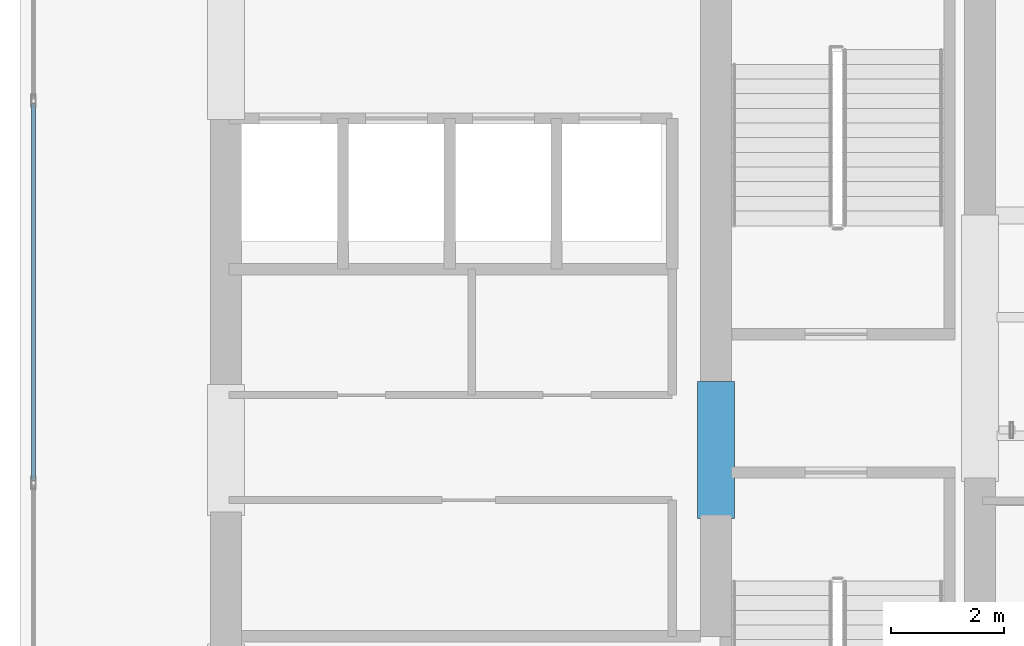
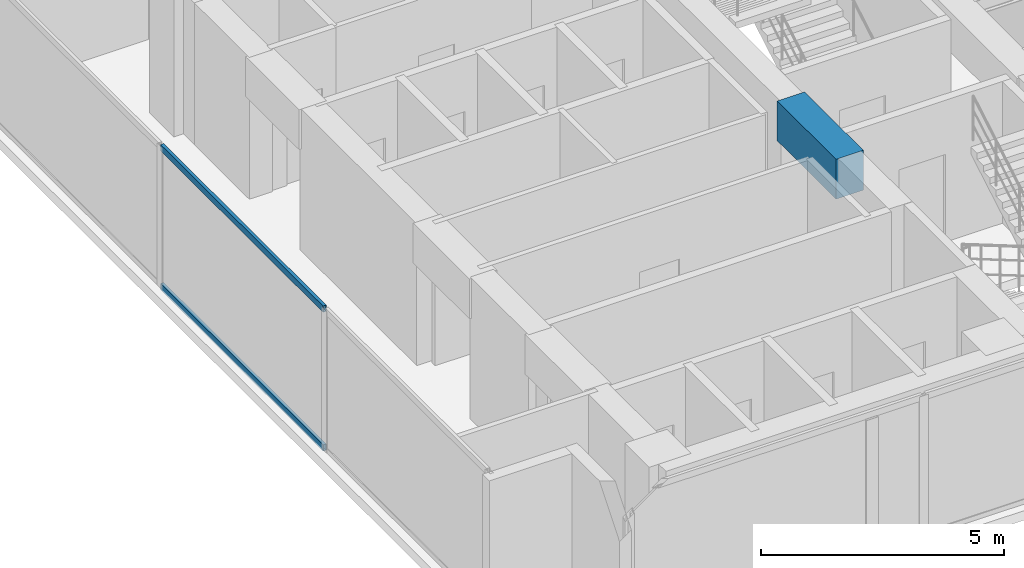
# One storey, part 3 of 23: 2 members, 1 beam, 1 element without a shape of its own.
"""IFC4 building model written with IfcOpenShell, lengths in metres."""

from ifc_helpers import new_model, si_unit, direction, frame, origin, origin_with_axes, origin_2d, place, context, subcontext, project, spatial, rectangle, hollow_rectangle, extrude, source, transform, mapped, material, layer, layer_set, material_profile, profile_set, type_object, element, aggregate, save


model = new_model("IFC4")

# Units and contexts
model_context = context("Model", 3, precision=1e-05, world=origin(), true_north=direction((0.0, 1.0)))
body_context = subcontext(model_context, "Body", "Model", "MODEL_VIEW")
ifc_project = project(units=[si_unit("LENGTHUNIT", "METRE"), si_unit("AREAUNIT", "SQUARE_METRE"), si_unit("VOLUMEUNIT", "CUBIC_METRE"), si_unit("PLANEANGLEUNIT", "RADIAN"), si_unit("MASSUNIT", "GRAM", prefix="KILO")], contexts=[model_context])

# Site, building, storey
site_placement = place(None, origin())
site = spatial("IfcSite", under=ifc_project, at=site_placement, CompositionType="ELEMENT")
building_placement = place(site_placement, origin())
building = spatial("IfcBuilding", under=site, at=building_placement, Name="Kolvaren Waterfront Exchange", CompositionType="ELEMENT")
storey_placement = place(building_placement, frame((0.0, 0.0, 234.89990234375)))
storey = spatial("IfcBuildingStorey", under=building, at=storey_placement, Name="L60", CompositionType="ELEMENT", Elevation=234.89990234375)

# Beam
ifc_material_1 = material(Name="Concrete C60/75", Category="concrete")
ifc_material_profile_1 = material_profile(ifc_material_1, rectangle(XDim=0.64990234375, YDim=1.0, at=origin_2d()), Name="RC-CB-1000x650")
ifc_profile_set_1 = profile_set([ifc_material_profile_1], Name="Concrete C60/75")
beam_type = type_object("IfcBeamType", Name="STR-CB-1000", PredefinedType="SPANDREL", material=ifc_profile_set_1)
beam_placement = place(storey_placement, frame((16.125, 12.0400390625, 3.06005859375), z_axis=(0.0, 1.0, 0.0), x_axis=(-1.0, 0.0, 0.0)))
element("IfcBeam", 1, at=beam_placement, inside=storey, type_object=beam_type, Name="L60 core coupling beam 6", PredefinedType="SPANDREL", context=body_context, shape_type="SweptSolid", body=[
    extrude(rectangle(XDim=0.64990234375, YDim=1.0, at=origin_2d()), origin(), (0.0, 0.0, 1.0), 2.419921875),
])

# Curtain wall, members
ifc_material_2 = material(Name="Anodised aluminium 6063-T6", Category="aluminium")
ifc_layer = layer(ifc_material_2, 0.219970703125, Name="Anodised aluminium 6063-T6")
ifc_layer_set = layer_set([ifc_layer], Name="Anodised aluminium 6063-T6")
curtain_wall_type = type_object("IfcCurtainWallType", Name="ARC-CW-SYS2", PredefinedType="USERDEFINED", material=ifc_layer_set)
curtain_wall_placement = place(storey_placement, origin())
curtain_wall = element("IfcCurtainWall", 2, at=curtain_wall_placement, inside=storey, type_object=curtain_wall_type, Name="L60 stick curtain wall CW2 (CW-L60-W)", ObjectType="STICK CURTAIN WALL", PredefinedType="USERDEFINED")
ifc_material_profile_2 = material_profile(ifc_material_2, hollow_rectangle(XDim=0.074951171875, YDim=0.159912109375, WallThickness=0.00439453125, at=origin_2d()), Name="ALU-TRN-160x75x4.5")
ifc_profile_set_2 = profile_set([ifc_material_profile_2], Name="Anodised aluminium 6063-T6")
member_type = type_object("IfcMemberType", Name="ARC-CWT-160", PredefinedType="USERDEFINED", material=ifc_profile_set_2)
shared_shape = source(origin_with_axes(), body_context, "Body", "SweptSolid", [
    extrude(hollow_rectangle(XDim=0.074951171875, YDim=0.159912109375, WallThickness=0.00439453125, at=origin_2d()), origin(), (0.0, 0.0, 1.0), 6.6865234375),
])
member_1_placement = place(storey_placement, frame((4.0400390625, 12.706787109375, 0.03759765625), z_axis=(0.0, 1.0, 0.0), x_axis=(-1.0, 0.0, 0.0)))
member_1 = element("IfcMember", 3, at=member_1_placement, type_object=member_type, Name="CW2 transom 2.1", ObjectType="TRANSOM", PredefinedType="USERDEFINED", context=body_context, shape_type="MappedRepresentation", body=[
    mapped(shared_shape, transform((0.0, 0.0, 0.0), x_axis=(1.0, 0.0, 0.0), y_axis=(0.0, 1.0, 0.0), z_axis=(0.0, 0.0, 1.0), scale=1.0)),
])
member_2_placement = place(storey_placement, frame((4.0400390625, 12.706787109375, 3.522705078125), z_axis=(0.0, 1.0, 0.0), x_axis=(-1.0, 0.0, 0.0)))
member_2 = element("IfcMember", 4, at=member_2_placement, type_object=member_type, Name="CW2 transom 2.2", ObjectType="TRANSOM", PredefinedType="USERDEFINED", context=body_context, shape_type="MappedRepresentation", body=[
    mapped(shared_shape, transform((0.0, 0.0, 0.0), x_axis=(1.0, 0.0, 0.0), y_axis=(0.0, 1.0, 0.0), z_axis=(0.0, 0.0, 1.0), scale=1.0)),
])
aggregate(curtain_wall, [member_1, member_2])

save(model, "model.ifc")
